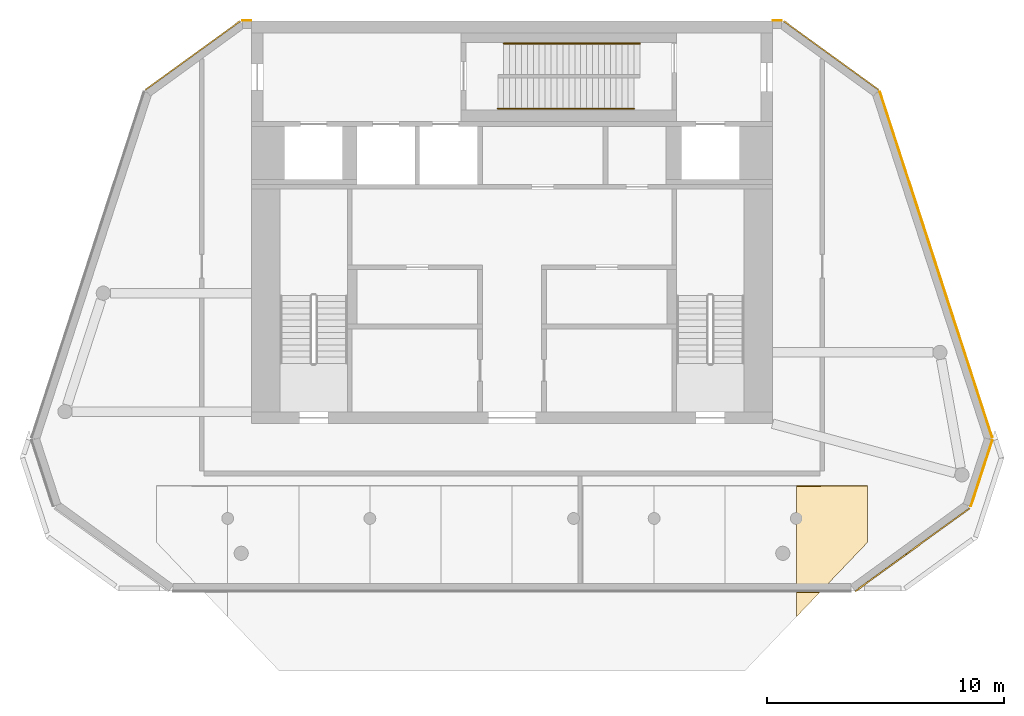
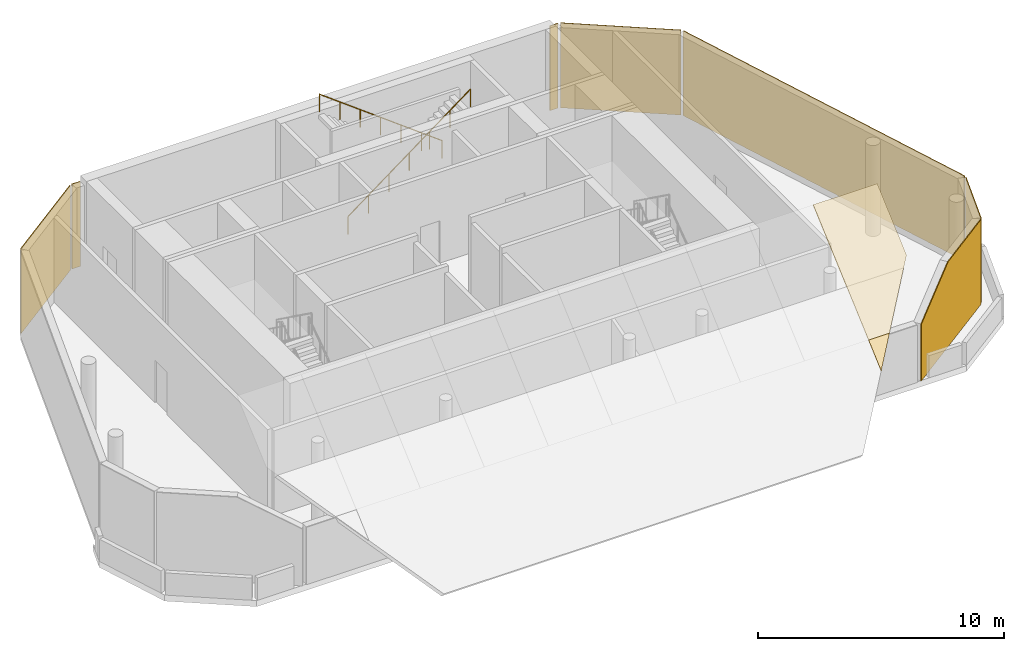
# One storey, part 6 of 6: 9 coverings, 2 railings.
"""IFC4 building model written with IfcOpenShell, lengths in metres."""

from ifc_helpers import new_model, si_unit, direction, frame, origin, origin_2d, place, context, subcontext, project, spatial, polyline, circle, outline, extrude, material, layer, layer_set, type_object, element, save


model = new_model("IFC4")

# Units and contexts
model_context = context("Model", 3, precision=1e-05, world=origin(), true_north=direction((0.0, 1.0)))
body_context = subcontext(model_context, "Body", "Model", "MODEL_VIEW")
ifc_project = project(units=[si_unit("LENGTHUNIT", "METRE"), si_unit("AREAUNIT", "SQUARE_METRE"), si_unit("VOLUMEUNIT", "CUBIC_METRE"), si_unit("PLANEANGLEUNIT", "RADIAN"), si_unit("MASSUNIT", "GRAM", prefix="KILO")], contexts=[model_context])

# Site, building, storey
site_placement = place(None, origin())
site = spatial("IfcSite", under=ifc_project, at=site_placement, CompositionType="ELEMENT")
building_placement = place(site_placement, origin())
building = spatial("IfcBuilding", under=site, at=building_placement, Name="White Candle Pilgrim Tower", CompositionType="ELEMENT")
storey_placement = place(building_placement, frame((0.0, 0.0, 337.699951171875)))
storey = spatial("IfcBuildingStorey", under=building, at=storey_placement, Name="L79", CompositionType="ELEMENT", Elevation=337.699951171875)

# Coverings
ifc_material_1 = material(Name="Zinc standing seam")
ifc_layer_1 = layer(ifc_material_1, 0.050048828125)
ifc_layer_set_1 = layer_set([ifc_layer_1], Name="Roof covering CL2 zinc standing seam 50")
covering_type_1 = type_object("IfcCoveringType", Name="Roof covering CL2 zinc standing seam 50", PredefinedType="ROOFING", material=ifc_layer_set_1)
covering_1_placement = place(storey_placement, frame((82.0, 63.867919921875, 2.9326171875), z_axis=(0.000104521664, -0.663022561863, 0.748599406583), x_axis=(0.999999994538, 6.9300222e-05, -7.8244856e-05)))
element("IfcCovering", 1, at=covering_1_placement, inside=storey, type_object=covering_type_1, Name="Roof covering 20", PredefinedType="ROOFING", context=body_context, shape_type="SweptSolid", body=[
    extrude(outline(polyline([(0.0, 0.0), (0.9772949165366349, 6.6224079840995396e-21), (0.5322265661535163, -0.6229636365193234), (0.05493163005702107, -1.2907349998688105), (-1.0677449464887678e-08, -1.3676981778729205), (0.0, 0.0)])), origin(), (0.0, 0.0, -1.0), 0.050048828125),
])
covering_2_placement = place(storey_placement, frame((82.0, 63.867919921875, 2.9326171875), z_axis=(3.20915e-05, -0.662928091115, 0.748683073791), x_axis=(4.34e-10, 0.748683074177, 0.662928091456)))
element("IfcCovering", 2, at=covering_2_placement, inside=storey, type_object=covering_type_1, Name="Roof covering 31", PredefinedType="ROOFING", context=body_context, shape_type="SweptSolid", body=[
    extrude(outline(polyline([(0.0, 0.0), (6.000047126672451, 0.0), (6.000047127973957, -2.999999998455203), (2.8300194972796575, -3.0000000024937346), (2.716216964737665, -2.918701174312408), (2.048445586180163, -2.4414062505102567), (1.3805123599440834, -1.964111332573986), (0.7127409813865815, -1.486816408771834), (0.044969602829079816, -1.009521484969682), (4.2398525372807726e-10, -0.9772949213717592), (0.0, 0.0)])), origin(), (0.0, 0.0, -1.0), 0.050048828125),
])

# Railings
ifc_material_2 = material(Name="Stainless steel", Category="steel")
railing_type = type_object("IfcRailingType", Name="Stair handrail stainless steel", PredefinedType="HANDRAIL", material=ifc_material_2)
railing_1_placement = place(storey_placement, frame((69.39990234375, 84.300048828125, 0.1875)))
element("IfcRailing", 3, at=railing_1_placement, inside=storey, type_object=railing_type, Name="L79 ST12 stair handrail 1", PredefinedType="HANDRAIL", context=body_context, shape_type="SweptSolid", body=[
    extrude(circle(Radius=0.02392578125, at=origin_2d()), frame((0.0, 0.0, 0.8759765625), z_axis=(0.8, 0.0, 0.6), x_axis=(0.0, 1.0, 0.0)), (0.0, 0.0, 1.0), 7.1875),
    extrude(circle(Radius=0.02099609375, at=origin_2d()), origin(), (0.0, 0.0, 1.0), 0.851806640625),
    extrude(circle(Radius=0.02099609375, at=origin_2d()), frame((0.958251953125, 0.0, 0.71875)), (0.0, 0.0, 1.0), 0.851806640625),
    extrude(circle(Radius=0.02099609375, at=origin_2d()), frame((1.916748046875, 0.0, 1.4375)), (0.0, 0.0, 1.0), 0.851806640625),
    extrude(circle(Radius=0.02099609375, at=origin_2d()), frame((2.875, 0.0, 2.15625)), (0.0, 0.0, 1.0), 0.851806640625),
    extrude(circle(Radius=0.02099609375, at=origin_2d()), frame((3.833251953125, 0.0, 2.875)), (0.0, 0.0, 1.0), 0.851806640625),
    extrude(circle(Radius=0.02099609375, at=origin_2d()), frame((4.791748046875, 0.0, 3.59375)), (0.0, 0.0, 1.0), 0.851806640625),
    extrude(circle(Radius=0.02099609375, at=origin_2d()), frame((5.75, 0.0, 4.3125)), (0.0, 0.0, 1.0), 0.851806640625),
])
railing_2_placement = place(storey_placement, frame((75.39990234375, 87.050048828125, 0.1875)))
element("IfcRailing", 4, at=railing_2_placement, inside=storey, type_object=railing_type, Name="L79 ST12 stair handrail 1", PredefinedType="HANDRAIL", context=body_context, shape_type="SweptSolid", body=[
    extrude(circle(Radius=0.02392578125, at=origin_2d()), frame((0.0, 0.0, 0.8759765625), z_axis=(-0.8, 0.0, 0.6), x_axis=(0.0, -1.0, 0.0)), (0.0, 0.0, 1.0), 7.1875),
    extrude(circle(Radius=0.02099609375, at=origin_2d()), origin(), (0.0, 0.0, 1.0), 0.851806640625),
    extrude(circle(Radius=0.02099609375, at=origin_2d()), frame((-0.958251953125, 0.0, 0.71875)), (0.0, 0.0, 1.0), 0.851806640625),
    extrude(circle(Radius=0.02099609375, at=origin_2d()), frame((-1.916748046875, 0.0, 1.4375)), (0.0, 0.0, 1.0), 0.851806640625),
    extrude(circle(Radius=0.02099609375, at=origin_2d()), frame((-2.875, 0.0, 2.15625)), (0.0, 0.0, 1.0), 0.851806640625),
    extrude(circle(Radius=0.02099609375, at=origin_2d()), frame((-3.833251953125, 0.0, 2.875)), (0.0, 0.0, 1.0), 0.851806640625),
    extrude(circle(Radius=0.02099609375, at=origin_2d()), frame((-4.791748046875, 0.0, 3.59375)), (0.0, 0.0, 1.0), 0.851806640625),
    extrude(circle(Radius=0.02099609375, at=origin_2d()), frame((-5.75, 0.0, 4.3125)), (0.0, 0.0, 1.0), 0.851806640625),
])

# Coverings
ifc_layer_2 = layer(ifc_material_1, 0.0400390625)
ifc_layer_set_2 = layer_set([ifc_layer_2], Name="Zinc wall cladding CL3 40")
covering_type_2 = type_object("IfcCoveringType", Name="Zinc wall cladding CL3 40", PredefinedType="CLADDING", material=ifc_layer_set_2)
covering_3_placement = place(storey_placement, frame((84.479248046875, 63.944091796875, 2.814697265625), z_axis=(-0.587798358146, 0.809007472252, 1.175014e-06), x_axis=(0.717652058273, 0.521421833084, 0.461621918067)))
element("IfcCovering", 5, at=covering_3_placement, inside=storey, type_object=covering_type_2, Name="Zinc wall cladding L79 SE", PredefinedType="CLADDING", context=body_context, shape_type="SweptSolid", body=[
    extrude(outline(polyline([(0.0, 0.0), (3.0008408440853507, -2.220446049250313e-16), (5.914495350499751, 1.5162236457289835), (3.975705834752175, 5.2419027864679055), (-1.2993259505350117, 2.496852573015116), (0.0, 0.0)])), origin(), (0.0, 0.0, -1.0), 0.0400390625),
])
covering_4_placement = place(storey_placement, frame((89.348388671875, 67.519287109375, 4.199951171875), z_axis=(-0.951079355989, 0.308946692185, 0.0), x_axis=(0.308946692185, 0.951079355989, 0.0)))
element("IfcCovering", 6, at=covering_4_placement, inside=storey, type_object=covering_type_2, Name="Zinc wall cladding L79 E chamfer", PredefinedType="CLADDING", context=body_context, shape_type="SweptSolid", body=[
    extrude(outline(polyline([(0.0, 0.0), (2.9309832441390484, 0.0), (2.9309832441390484, 4.199951171875), (0.0, 4.199951171875), (0.0, 0.0)])), origin(), (0.0, 0.0, -1.0), 0.0400390625),
])
covering_5_placement = place(storey_placement, frame((90.25390625, 70.40576171875, 4.199951171875), z_axis=(-0.951056394176, -0.309017370219, 0.0), x_axis=(-0.309017370219, 0.951056394176, 0.0)))
element("IfcCovering", 7, at=covering_5_placement, inside=storey, type_object=covering_type_2, Name="Zinc wall cladding L79 ENE", PredefinedType="CLADDING", context=body_context, shape_type="SweptSolid", body=[
    extrude(outline(polyline([(0.0, 0.0), (15.347602556755612, 0.0), (15.347602556755612, 4.199951171875), (0.0, 4.199951171875), (0.0, 0.0)])), origin(), (0.0, 0.0, -1.0), 0.0400390625),
])
covering_6_placement = place(storey_placement, frame((85.453125, 85.08203125, 4.199951171875), z_axis=(-0.587796335735, -0.809008941667, 0.0), x_axis=(-0.809008941667, 0.587796335735, 0.0)))
element("IfcCovering", 8, at=covering_6_placement, inside=storey, type_object=covering_type_2, Name="Zinc wall cladding L79 NE chamfer", PredefinedType="CLADDING", context=body_context, shape_type="SweptSolid", body=[
    extrude(outline(polyline([(0.0, 0.0), (4.912332718551443, 0.0), (4.912332718551443, 4.199951171875), (0.0, 4.199951171875), (0.0, 0.0)])), origin(), (0.0, 0.0, -1.0), 0.0400390625),
])
for number, where, z_axis, x_axis, name in (
    (9, (81.385009765625, 88.0, 4.199951171875), (0.0, -1.0, 0.0), (-1.0, 0.0, 0.0), "Zinc wall cladding L79 N"),
    (10, (59.0, 88.0, 4.199951171875), (0.0, -1.0, 0.0), (-1.0, 0.0, 0.0), "Zinc wall cladding L79 N"),
):
    element("IfcCovering", number, at=place(storey_placement, frame(where, z_axis=z_axis, x_axis=x_axis)), inside=storey, type_object=covering_type_2, Name=name, PredefinedType="CLADDING", context=body_context, shape_type="SweptSolid", body=[
        extrude(outline(polyline([(0.0, 0.0), (0.385009765625, 0.0), (0.385009765625, 4.199951171875), (0.0, 4.199951171875), (0.0, 0.0)])), origin(), (0.0, 0.0, -1.0), 0.0400390625),
    ])
covering_7_placement = place(storey_placement, frame((58.52099609375, 87.969482421875, 4.199951171875), z_axis=(0.587796335735, -0.809008941667, 0.0), x_axis=(-0.809008941667, -0.587796335735, 0.0)))
element("IfcCovering", 11, at=covering_7_placement, inside=storey, type_object=covering_type_2, Name="Zinc wall cladding L79 NW chamfer", PredefinedType="CLADDING", context=body_context, shape_type="SweptSolid", body=[
    extrude(outline(polyline([(0.0, 0.0), (4.912332718551443, 0.0), (4.912332718551443, 4.199951171875), (0.0, 4.199951171875), (0.0, 0.0)])), origin(), (0.0, 0.0, -1.0), 0.0400390625),
])

save(model, "model.ifc")
